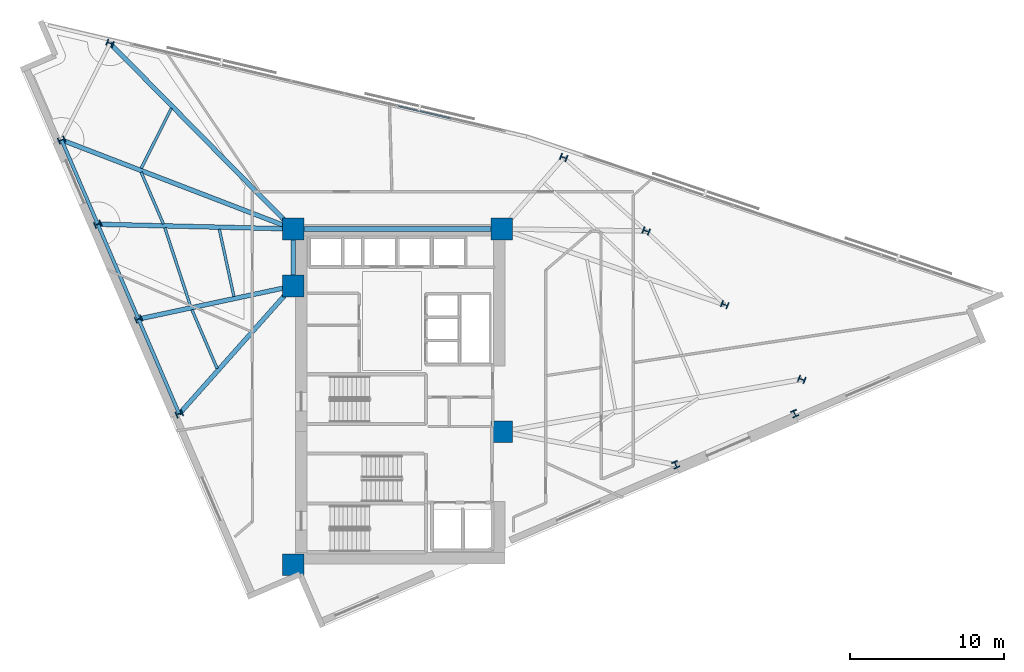
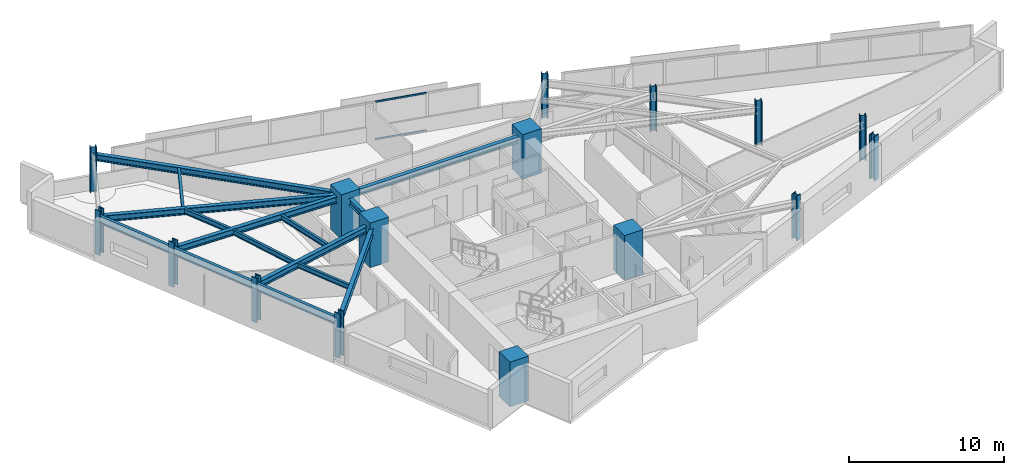
# One storey, part 1 of 14: 16 columns, 15 beams, 2 members, 1 element without a shape of its own.
"""IFC4 building model written with IfcOpenShell, lengths in metres."""

from ifc_helpers import new_model, si_unit, direction, frame, origin, origin_2d, place, context, subcontext, project, spatial, rectangle, hollow_rectangle, i_section, extrude, material, material_profile, profile_set, type_object, element, aggregate, save


model = new_model("IFC4")

# Units and contexts
model_context = context("Model", 3, precision=1e-05, world=origin(), true_north=direction((0.0, 1.0)))
body_context = subcontext(model_context, "Body", "Model", "MODEL_VIEW")
ifc_project = project(units=[si_unit("LENGTHUNIT", "METRE"), si_unit("AREAUNIT", "SQUARE_METRE"), si_unit("VOLUMEUNIT", "CUBIC_METRE"), si_unit("PLANEANGLEUNIT", "RADIAN"), si_unit("MASSUNIT", "GRAM", prefix="KILO")], contexts=[model_context])

# Site, building, storey
site_placement = place(None, origin())
site = spatial("IfcSite", under=ifc_project, at=site_placement, CompositionType="ELEMENT")
building_placement = place(site_placement, origin())
building = spatial("IfcBuilding", under=site, at=building_placement, Name="Narakoshi Arena Tower", CompositionType="ELEMENT")
storey_placement = place(building_placement, frame((0.0, 0.0, 193.179931640625)))
storey = spatial("IfcBuildingStorey", under=building, at=storey_placement, Name="L52", CompositionType="ELEMENT", Elevation=193.179931640625)

# Columns
ifc_material_1 = material(Name="Concrete C60/75", Category="concrete")
ifc_material_profile_1 = material_profile(ifc_material_1, rectangle(XDim=1.39990234375, YDim=1.39990234375, at=origin_2d()), Name="RC1400x1400")
ifc_profile_set_1 = profile_set([ifc_material_profile_1], Name="Concrete C60/75")
column_type_1 = type_object("IfcColumnType", Name="COL-RC1400", PredefinedType="COLUMN", material=ifc_profile_set_1)
for number, where, z_axis, x_axis, name in (
    (1, (72.0, 34.699951171875, 0.0), (0.0, 0.0, 1.0), (1.0, 0.0, 0.0), "L52 Core Structural Column CC1"),
    (2, (85.550048828125, 43.35009765625, 0.0), (0.0, 0.0, 1.0), (1.0, 0.0, 0.0), "L52 Core Structural Column CC3"),
    (3, (72.0, 52.800048828125, 0.0), (0.0, 0.0, 1.0), (1.0, 0.0, 0.0), "L52 Core Structural Column CC4"),
    (4, (72.0, 56.5, 0.0), (0.0, 0.0, 1.0), (1.0, 0.0, 0.0), "L52 Core Structural Column CC5"),
    (5, (85.550048828125, 56.5, 0.0), (0.0, 0.0, 1.0), (1.0, 0.0, 0.0), "L52 Core Structural Column CC6"),
):
    element("IfcColumn", number, at=place(storey_placement, frame(where, z_axis=z_axis, x_axis=x_axis)), inside=storey, type_object=column_type_1, Name=name, PredefinedType="COLUMN", context=body_context, shape_type="SweptSolid", body=[
        extrude(rectangle(XDim=1.39990234375, YDim=1.39990234375, at=origin_2d()), origin(), (0.0, 0.0, 1.0), 3.52001953125),
    ])
ifc_material_2 = material(Name="Structural steel S460ML", Category="steel")
ifc_material_profile_2 = material_profile(ifc_material_2, i_section(OverallWidth=0.416015625, OverallDepth=0.446044921875, WebThickness=0.0390625, FlangeThickness=0.062744140625, FilletRadius=0.014892578125, at=origin_2d()), Name="HD400x509")
ifc_profile_set_2 = profile_set([ifc_material_profile_2], Name="Structural steel S460ML")
column_type_2 = type_object("IfcColumnType", Name="COL-STL509", PredefinedType="COLUMN", material=ifc_profile_set_2)
for number, where, z_axis, x_axis, name in (
    (6, (96.830078125, 41.2001953125, 0.0), (0.0, 0.0, 1.0), (0.918791210149, 0.394743856384, 0.0), "L52 Tower Perimeter Column TC02"),
    (7, (104.54931640625, 44.5166015625, 0.0), (0.0, 0.0, 1.0), (0.918791210149, 0.394743856384, 0.0), "L52 Tower Perimeter Column TC03"),
    (8, (105.010009765625, 46.73876953125, 0.0), (0.0, 0.0, 1.0), (0.37055743751, 0.928809552872, 0.0), "L52 Tower Perimeter Column TC05"),
    (9, (100.012939453125, 51.58544921875, 0.0), (0.0, 0.0, 1.0), (0.37055743751, 0.928809552872, 0.0), "L52 Tower Perimeter Column TC06"),
    (10, (94.914794921875, 56.36669921875, 0.0), (0.0, 0.0, 1.0), (0.37055743751, 0.928809552872, 0.0), "L52 Tower Perimeter Column TC07"),
    (11, (89.5615234375, 61.134765625, 0.0), (0.0, 0.0, 1.0), (0.37055743751, 0.928809552872, 0.0), "L52 Tower Perimeter Column TC08"),
    (12, (60.12158203125, 68.55126953125, 0.0), (0.0, 0.0, 1.0), (0.37055743751, 0.928809552872, 0.0), "L52 Tower Perimeter Column TC10"),
    (13, (56.9755859375, 62.278564453125, 0.0), (0.0, 0.0, 1.0), (-0.394743856384, 0.918791210149, 0.0), "L52 Tower Perimeter Column TC13"),
    (14, (59.326171875, 56.807373046875, 0.0), (0.0, 0.0, 1.0), (-0.394743856384, 0.918791210149, 0.0), "L52 Tower Perimeter Column TC14"),
    (15, (61.970458984375, 50.652587890625, 0.0), (0.0, 0.0, 1.0), (-0.394743856384, 0.918791210149, 0.0), "L52 Tower Perimeter Column TC15"),
    (16, (64.61474609375, 44.49755859375, 0.0), (0.0, 0.0, 1.0), (-0.394743856384, 0.918791210149, 0.0), "L52 Tower Perimeter Column TC16"),
):
    element("IfcColumn", number, at=place(storey_placement, frame(where, z_axis=z_axis, x_axis=x_axis)), inside=storey, type_object=column_type_2, Name=name, PredefinedType="COLUMN", context=body_context, shape_type="SweptSolid", body=[
        extrude(i_section(OverallWidth=0.416015625, OverallDepth=0.446044921875, WebThickness=0.0390625, FlangeThickness=0.062744140625, FilletRadius=0.014892578125, at=origin_2d()), origin(), (0.0, 0.0, 1.0), 3.52001953125),
    ])

# Beams
ifc_material_3 = material(Name="Structural steel S355J2", Category="steel")
ifc_material_profile_3 = material_profile(ifc_material_3, i_section(OverallWidth=0.219970703125, OverallDepth=0.60009765625, WebThickness=0.011962890625, FlangeThickness=0.01904296875, FilletRadius=0.02392578125, at=origin_2d()), Name="IPE600")
ifc_profile_set_3 = profile_set([ifc_material_profile_3], Name="Structural steel S355J2")
beam_type_1 = type_object("IfcBeamType", Name="BM-EDGE-600", PredefinedType="BEAM", material=ifc_profile_set_3)
beam_1_placement = place(storey_placement, frame((56.9755859375, 62.278564453125, 2.719970703125), z_axis=(0.394740539552, -0.918792635165, 0.0), x_axis=(0.918792635165, 0.394740539552, 0.0)))
element("IfcBeam", 17, at=beam_1_placement, inside=storey, type_object=beam_type_1, Name="L52 Perimeter Edge Girder 08", PredefinedType="BEAM", context=body_context, shape_type="SweptSolid", body=[
    extrude(i_section(OverallWidth=0.219970703125, OverallDepth=0.60009765625, WebThickness=0.011962890625, FlangeThickness=0.01904296875, FilletRadius=0.02392578125, at=origin_2d()), origin(), (0.0, 0.0, 1.0), 5.954833984375),
])
beam_2_placement = place(storey_placement, frame((59.326171875, 56.807373046875, 2.719970703125), z_axis=(0.394741679056, -0.9187921456, 0.0), x_axis=(0.9187921456, 0.394741679056, 0.0)))
element("IfcBeam", 18, at=beam_2_placement, inside=storey, type_object=beam_type_1, Name="L52 Perimeter Edge Girder 09", PredefinedType="BEAM", context=body_context, shape_type="SweptSolid", body=[
    extrude(i_section(OverallWidth=0.219970703125, OverallDepth=0.60009765625, WebThickness=0.011962890625, FlangeThickness=0.01904296875, FilletRadius=0.02392578125, at=origin_2d()), origin(), (0.0, 0.0, 1.0), 6.69873046875),
])
beam_3_placement = place(storey_placement, frame((61.970458984375, 50.652587890625, 2.719970703125), z_axis=(0.394728461185, -0.918797824296, 0.0), x_axis=(0.918797824296, 0.394728461185, 0.0)))
element("IfcBeam", 19, at=beam_3_placement, inside=storey, type_object=beam_type_1, Name="L52 Perimeter Edge Girder 10", PredefinedType="BEAM", context=body_context, shape_type="SweptSolid", body=[
    extrude(i_section(OverallWidth=0.219970703125, OverallDepth=0.60009765625, WebThickness=0.011962890625, FlangeThickness=0.01904296875, FilletRadius=0.02392578125, at=origin_2d()), origin(), (0.0, 0.0, 1.0), 6.698974609375),
])
ifc_material_profile_4 = material_profile(ifc_material_3, i_section(OverallWidth=0.300048828125, OverallDepth=0.5, WebThickness=0.014404296875, FlangeThickness=0.028076171875, FilletRadius=0.027099609375, at=origin_2d()), Name="HE500B")
ifc_profile_set_4 = profile_set([ifc_material_profile_4], Name="Structural steel S355J2")
beam_type_2 = type_object("IfcBeamType", Name="BM-PRI-500", PredefinedType="BEAM", material=ifc_profile_set_4)
beam_4_placement = place(storey_placement, frame((72.0, 56.5, 2.77001953125), z_axis=(-0.701980816252, 0.71219585341, 0.0), x_axis=(-0.71219585341, -0.701980816252, 0.0)))
element("IfcBeam", 20, at=beam_4_placement, inside=storey, type_object=beam_type_2, Name="L52 Radial Primary Floor Girder 07", PredefinedType="BEAM", context=body_context, shape_type="SweptSolid", body=[
    extrude(i_section(OverallWidth=0.300048828125, OverallDepth=0.5, WebThickness=0.014404296875, FlangeThickness=0.028076171875, FilletRadius=0.027099609375, at=origin_2d()), origin(), (0.0, 0.0, 1.0), 16.92138671875),
])
beam_5_placement = place(storey_placement, frame((72.0, 56.5, 2.77001953125), z_axis=(-0.933346778866, 0.35897603037, 0.0), x_axis=(-0.35897603037, -0.933346778866, 0.0)))
element("IfcBeam", 21, at=beam_5_placement, inside=storey, type_object=beam_type_2, Name="L52 Radial Primary Floor Girder 08", PredefinedType="BEAM", context=body_context, shape_type="SweptSolid", body=[
    extrude(i_section(OverallWidth=0.300048828125, OverallDepth=0.5, WebThickness=0.014404296875, FlangeThickness=0.028076171875, FilletRadius=0.027099609375, at=origin_2d()), origin(), (0.0, 0.0, 1.0), 16.097412109375),
])
beam_6_placement = place(storey_placement, frame((72.0, 56.5, 2.77001953125), z_axis=(-0.999706035824, 0.024245451901, 0.0), x_axis=(-0.024245451901, -0.999706035824, 0.0)))
element("IfcBeam", 22, at=beam_6_placement, inside=storey, type_object=beam_type_2, Name="L52 Radial Primary Floor Girder 09", PredefinedType="BEAM", context=body_context, shape_type="SweptSolid", body=[
    extrude(i_section(OverallWidth=0.300048828125, OverallDepth=0.5, WebThickness=0.014404296875, FlangeThickness=0.028076171875, FilletRadius=0.027099609375, at=origin_2d()), origin(), (0.0, 0.0, 1.0), 12.677490234375),
])
beam_7_placement = place(storey_placement, frame((72.0, 52.800048828125, 2.77001953125), z_axis=(-0.977836885657, -0.209368156721, 0.0), x_axis=(0.209368156721, -0.977836885657, 0.0)))
element("IfcBeam", 23, at=beam_7_placement, inside=storey, type_object=beam_type_2, Name="L52 Radial Primary Floor Girder 10", PredefinedType="BEAM", context=body_context, shape_type="SweptSolid", body=[
    extrude(i_section(OverallWidth=0.300048828125, OverallDepth=0.5, WebThickness=0.014404296875, FlangeThickness=0.028076171875, FilletRadius=0.027099609375, at=origin_2d()), origin(), (0.0, 0.0, 1.0), 10.2568359375),
])
beam_8_placement = place(storey_placement, frame((72.0, 52.800048828125, 2.77001953125), z_axis=(-0.664628360587, -0.747174104412, 0.0), x_axis=(0.747174104412, -0.664628360587, 0.0)))
element("IfcBeam", 24, at=beam_8_placement, inside=storey, type_object=beam_type_2, Name="L52 Radial Primary Floor Girder 11", PredefinedType="BEAM", context=body_context, shape_type="SweptSolid", body=[
    extrude(i_section(OverallWidth=0.300048828125, OverallDepth=0.5, WebThickness=0.014404296875, FlangeThickness=0.028076171875, FilletRadius=0.027099609375, at=origin_2d()), origin(), (0.0, 0.0, 1.0), 11.11181640625),
])
beam_9_placement = place(storey_placement, frame((72.0, 52.800048828125, 2.77001953125), z_axis=(0.0, 1.0, 0.0), x_axis=(-1.0, 0.0, 0.0)))
element("IfcBeam", 25, at=beam_9_placement, inside=storey, type_object=beam_type_2, Name="L52 Core Perimeter Frame Beam CC4-CC5", PredefinedType="BEAM", context=body_context, shape_type="SweptSolid", body=[
    extrude(i_section(OverallWidth=0.300048828125, OverallDepth=0.5, WebThickness=0.014404296875, FlangeThickness=0.028076171875, FilletRadius=0.027099609375, at=origin_2d()), origin(), (0.0, 0.0, 1.0), 3.699951171875),
])
beam_10_placement = place(storey_placement, frame((72.0, 56.5, 2.77001953125), z_axis=(1.0, 0.0, 0.0), x_axis=(0.0, 1.0, 0.0)))
element("IfcBeam", 26, at=beam_10_placement, inside=storey, type_object=beam_type_2, Name="L52 Core Perimeter Frame Beam CC5-CC6", PredefinedType="BEAM", context=body_context, shape_type="SweptSolid", body=[
    extrude(i_section(OverallWidth=0.300048828125, OverallDepth=0.5, WebThickness=0.014404296875, FlangeThickness=0.028076171875, FilletRadius=0.027099609375, at=origin_2d()), origin(), (0.0, 0.0, 1.0), 13.550048828125),
])
ifc_material_profile_5 = material_profile(ifc_material_3, i_section(OverallWidth=0.179931640625, OverallDepth=0.39990234375, WebThickness=0.008544921875, FlangeThickness=0.013427734375, FilletRadius=0.02099609375, at=origin_2d()), Name="IPE400")
ifc_profile_set_5 = profile_set([ifc_material_profile_5], Name="Structural steel S355J2")
beam_type_3 = type_object("IfcBeamType", Name="BM-SEC-400", PredefinedType="JOIST", material=ifc_profile_set_5)
beam_11_placement = place(storey_placement, frame((64.099853515625, 64.333251953125, 2.820068359375), z_axis=(-0.448355109233, -0.893855523015, 0.0), x_axis=(0.893855523015, -0.448355109233, 0.0)))
element("IfcBeam", 27, at=beam_11_placement, inside=storey, type_object=beam_type_3, Name="L52 Composite Secondary Floor Joist 07", PredefinedType="JOIST", context=body_context, shape_type="SweptSolid", body=[
    extrude(i_section(OverallWidth=0.179931640625, OverallDepth=0.39990234375, WebThickness=0.008544921875, FlangeThickness=0.013427734375, FilletRadius=0.02099609375, at=origin_2d()), origin(), (0.0, 0.0, 1.0), 4.361572265625),
])
beam_12_placement = place(storey_placement, frame((62.13720703125, 60.189697265625, 2.820068359375), z_axis=(0.394700077983, -0.918810017599, 0.0), x_axis=(0.918810017599, 0.394700077983, 0.0)))
element("IfcBeam", 28, at=beam_12_placement, inside=storey, type_object=beam_type_3, Name="L52 Composite Secondary Floor Joist 08", PredefinedType="JOIST", context=body_context, shape_type="SweptSolid", body=[
    extrude(i_section(OverallWidth=0.179931640625, OverallDepth=0.39990234375, WebThickness=0.008544921875, FlangeThickness=0.013427734375, FilletRadius=0.02099609375, at=origin_2d()), origin(), (0.0, 0.0, 1.0), 3.659912109375),
])
beam_13_placement = place(storey_placement, frame((67.21240234375, 56.48486328125, 2.820068359375), z_axis=(0.212001112403, -0.977269424642, 0.0), x_axis=(0.977269424642, 0.212001112403, 0.0)))
element("IfcBeam", 29, at=beam_13_placement, inside=storey, type_object=beam_type_3, Name="L52 Composite Secondary Floor Joist 09", PredefinedType="JOIST", context=body_context, shape_type="SweptSolid", body=[
    extrude(i_section(OverallWidth=0.179931640625, OverallDepth=0.39990234375, WebThickness=0.008544921875, FlangeThickness=0.013427734375, FilletRadius=0.02099609375, at=origin_2d()), origin(), (0.0, 0.0, 1.0), 4.470458984375),
])
beam_14_placement = place(storey_placement, frame((63.67724609375, 56.57470703125, 2.820068359375), z_axis=(0.311702562929, -0.950179726296, 0.0), x_axis=(0.950179726296, 0.311702562929, 0.0)))
element("IfcBeam", 30, at=beam_14_placement, inside=storey, type_object=beam_type_3, Name="L52 Composite Secondary Floor Joist 10", PredefinedType="JOIST", context=body_context, shape_type="SweptSolid", body=[
    extrude(i_section(OverallWidth=0.179931640625, OverallDepth=0.39990234375, WebThickness=0.008544921875, FlangeThickness=0.013427734375, FilletRadius=0.02099609375, at=origin_2d()), origin(), (0.0, 0.0, 1.0), 5.329345703125),
])
beam_15_placement = place(storey_placement, frame((65.433837890625, 51.258544921875, 2.820068359375), z_axis=(0.394735391015, -0.918794847113, 0.0), x_axis=(0.918794847113, 0.394735391015, 0.0)))
element("IfcBeam", 31, at=beam_15_placement, inside=storey, type_object=beam_type_3, Name="L52 Composite Secondary Floor Joist 11", PredefinedType="JOIST", context=body_context, shape_type="SweptSolid", body=[
    extrude(i_section(OverallWidth=0.179931640625, OverallDepth=0.39990234375, WebThickness=0.008544921875, FlangeThickness=0.013427734375, FilletRadius=0.02099609375, at=origin_2d()), origin(), (0.0, 0.0, 1.0), 4.1513671875),
])

# Curtain wall, members
ifc_material_4 = material(Name="Anodised bronze aluminium 6063-T6", Category="aluminium")
curtain_wall_type = type_object("IfcCurtainWallType", Name="CW-HYP-MID", PredefinedType="NOTDEFINED", material=ifc_material_4)
curtain_wall_placement = place(storey_placement, origin())
curtain_wall = element("IfcCurtainWall", 32, at=curtain_wall_placement, inside=storey, type_object=curtain_wall_type, Name="L52 Folded Hypotenuse Curtain Wall 2-1", PredefinedType="NOTDEFINED")
ifc_material_profile_6 = material_profile(ifc_material_4, hollow_rectangle(XDim=0.06494140625, YDim=0.1298828125, WallThickness=0.00390625, OuterFilletRadius=0.0048828125, at=origin_2d()), Name="TRN130x65x4")
ifc_profile_set_6 = profile_set([ifc_material_profile_6], Name="Anodised bronze aluminium 6063-T6")
member_type = type_object("IfcMemberType", Name="MEM-TRN-130", PredefinedType="USERDEFINED", material=ifc_profile_set_6)
member_1_placement = place(storey_placement, frame((82.2158203125, 63.675048828125, 0.032470703125), z_axis=(-0.973945687806, 0.226781386372, 0.0), x_axis=(-0.226781386372, -0.973945687806, 0.0)))
member_1 = element("IfcMember", 33, at=member_1_placement, type_object=member_type, Name="CW-02 transom 2.1", ObjectType="TRANSOM", PredefinedType="USERDEFINED", context=body_context, shape_type="SweptSolid", body=[
    extrude(hollow_rectangle(XDim=0.06494140625, YDim=0.1298828125, WallThickness=0.00390625, OuterFilletRadius=0.0048828125, at=origin_2d()), origin(), (0.0, 0.0, 1.0), 3.478271484375),
])
member_2_placement = place(storey_placement, frame((82.2158203125, 63.675048828125, 2.987548828125), z_axis=(-0.973945687806, 0.226781386372, 0.0), x_axis=(-0.226781386372, -0.973945687806, 0.0)))
member_2 = element("IfcMember", 34, at=member_2_placement, type_object=member_type, Name="CW-02 transom 2.2", ObjectType="TRANSOM", PredefinedType="USERDEFINED", context=body_context, shape_type="SweptSolid", body=[
    extrude(hollow_rectangle(XDim=0.06494140625, YDim=0.1298828125, WallThickness=0.00390625, OuterFilletRadius=0.0048828125, at=origin_2d()), origin(), (0.0, 0.0, 1.0), 3.478271484375),
])
aggregate(curtain_wall, [member_1, member_2])

save(model, "model.ifc")
